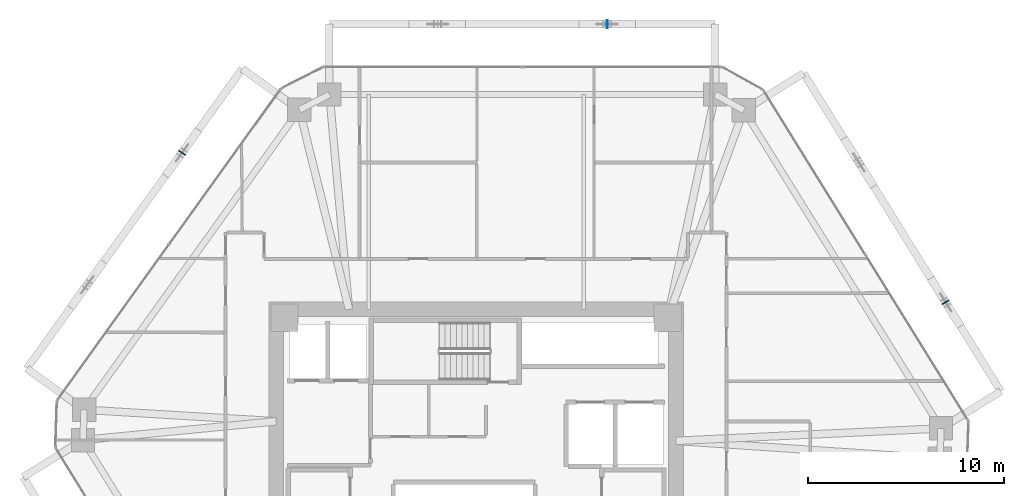
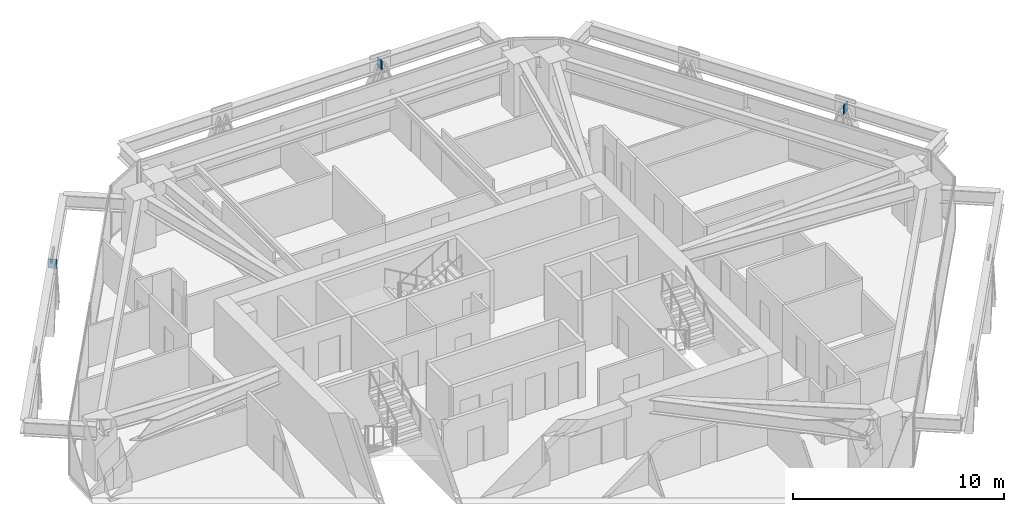
# One storey, part 11 of 16: 3 plates.
"""IFC4 building model written with IfcOpenShell, lengths in metres."""

from ifc_helpers import new_model, si_unit, direction, frame, origin, origin_2d, place, context, subcontext, project, spatial, rectangle, extrude, source, transform, mapped, material, layer, layer_set, type_object, type_shapes, element, save


model = new_model("IFC4")

# Units and contexts
model_context = context("Model", 3, precision=1e-05, world=origin(), true_north=direction((0.0, 1.0)))
body_context = subcontext(model_context, "Body", "Model", "MODEL_VIEW")
ifc_project = project(units=[si_unit("LENGTHUNIT", "METRE"), si_unit("AREAUNIT", "SQUARE_METRE"), si_unit("VOLUMEUNIT", "CUBIC_METRE"), si_unit("PLANEANGLEUNIT", "RADIAN"), si_unit("MASSUNIT", "GRAM", prefix="KILO")], contexts=[model_context])

# Site, building, storey
site_placement = place(None, origin())
site = spatial("IfcSite", under=ifc_project, at=site_placement, CompositionType="ELEMENT")
building_placement = place(site_placement, origin())
building = spatial("IfcBuilding", under=site, at=building_placement, Name="Durnholm Broadcast Tower", CompositionType="ELEMENT")
storey_placement = place(building_placement, frame((0.0, 0.0, 117.300048828125)))
storey = spatial("IfcBuildingStorey", under=building, at=storey_placement, Name="L31", CompositionType="ELEMENT", Elevation=117.300048828125)

# Plates
ifc_material = material(Name="Steel ASTM A572 Grade 50", Category="steel")
ifc_layer = layer(ifc_material, 0.044921875)
ifc_layer_set = layer_set([ifc_layer], Name="Steel ASTM A572 Grade 50")
plate_type = type_object("IfcPlateType", Name="PLT-KN-STIF", PredefinedType="SHEET", material=ifc_layer_set)
shared_shape = source(origin(), body_context, "Body", "SweptSolid", [
    extrude(rectangle(XDim=0.044921875, YDim=0.419921875, at=origin_2d()), origin(), (0.0, 0.0, 1.0), 0.52001953125),
])
type_shapes(plate_type, [shared_shape])
for number, where, z_axis, x_axis, name in (
    (1, (24.01513671875, 8.58837890625, 2.048583984375), (0.0, 0.0, 1.0), (-0.527104121728, 0.849800708906, 0.0), "L31 welded diagrid node stiffener plate F3"),
    (2, (6.7060546875, 22.81494140625, 2.048583984375), (0.0, 0.0, 1.0), (-1.0, 0.0, 0.0), "L31 welded diagrid node stiffener plate F4"),
    (3, (-15.040771484375, 16.234375, 2.048583984375), (0.0, 0.0, 1.0), (-0.583399467156, -0.812185361677, 0.0), "L31 welded diagrid node stiffener plate F5"),
):
    element("IfcPlate", number, at=place(storey_placement, frame(where, z_axis=z_axis, x_axis=x_axis)), inside=storey, type_object=plate_type, Name=name, PredefinedType="SHEET", context=body_context, shape_type="MappedRepresentation", body=[
        mapped(shared_shape, transform((0.0, 0.0, 0.0), x_axis=(1.0, 0.0, 0.0), y_axis=(0.0, 1.0, 0.0), z_axis=(0.0, 0.0, 1.0), scale=1.0)),
    ])

save(model, "model.ifc")
